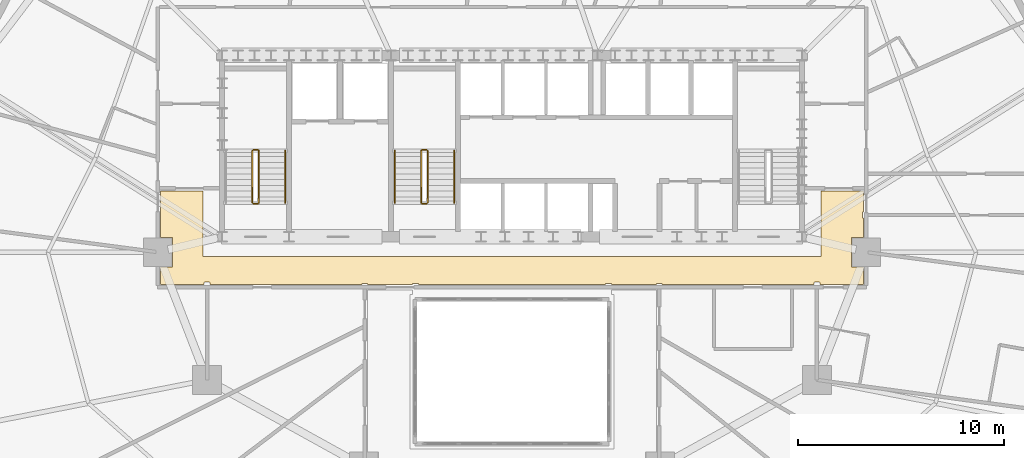
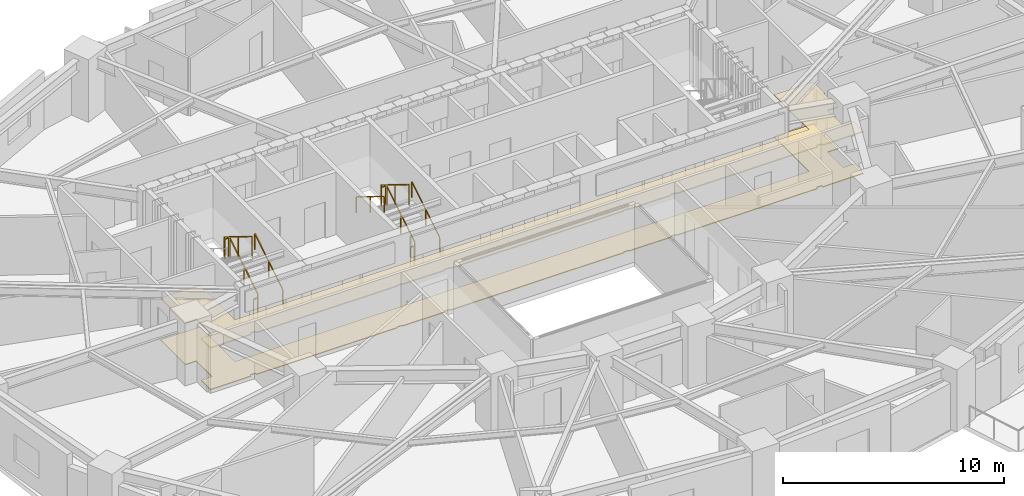
# One storey, part 14 of 16: 11 railings, 2 coverings.
"""IFC4 building model written with IfcOpenShell, lengths in metres."""

import ifcopenshell
import ifcopenshell.guid

model = None  # the IFC model being written
_history = None  # IfcOwnerHistory: only IFC2X3 demands one
_inside = {}  # id of a spatial element -> (the spatial element, [elements in it])
_under = {}  # id of a project, library or spatial element -> (it, [spatial elements below it])
_declared = {}  # id of a project -> (the project, [libraries it declares])
_typed = {}  # id of a type object -> (the type object, [elements of that type])
_made_of = {}  # id of a material, layer set ... -> (it, [elements and type objects made of it])


def new_model(schema):
    """Start an empty IFC model of exactly this schema.

    Asked for "IFC4X3", IfcOpenShell would pick the latest addendum, in which some entities
    have other attributes; the version numbers below select the first issue.
    IFC2X3 requires an IfcOwnerHistory on every rooted entity: one is made here for all.
    """
    global model, _history
    if schema == "IFC4X3":
        model = ifcopenshell.file(schema_version=(4, 3, 0, 0))
    else:
        model = ifcopenshell.file(schema=schema)
    _inside.clear()
    _under.clear()
    _declared.clear()
    _typed.clear()
    _made_of.clear()
    _history = None
    if model.schema == "IFC2X3":
        org = make("IfcOrganization", Name="unknown")
        user = make(
            "IfcPersonAndOrganization",
            ThePerson=make("IfcPerson", FamilyName="unknown"),
            TheOrganization=org,
        )
        app = make(
            "IfcApplication",
            ApplicationDeveloper=org,
            Version="unknown",
            ApplicationFullName="unknown",
            ApplicationIdentifier="unknown",
        )
        _history = make(
            "IfcOwnerHistory",
            OwningUser=user,
            OwningApplication=app,
            ChangeAction="ADDED",
            CreationDate=0,
        )
    return model


def make(cls, **values):
    """One entity of the class cls with the attributes given. An attribute that is None is left unset."""
    return model.create_entity(
        cls, **{name: value for name, value in values.items() if value is not None}
    )


def rooted(cls, **values):
    """An entity with a GlobalId (a new one), such as an element, a storey or a relation."""
    return make(cls, GlobalId=ifcopenshell.guid.new(), OwnerHistory=_history, **values)


def si_unit(unit_type, name, prefix=None):
    """IfcSIUnit, for example si_unit("LENGTHUNIT", "METRE", prefix="MILLI")."""
    return make("IfcSIUnit", UnitType=unit_type, Prefix=prefix, Name=name)


def assignment(units):
    """IfcUnitAssignment: the units of a project."""
    return None if units is None else make("IfcUnitAssignment", Units=units)


def point(xyz):
    """IfcCartesianPoint."""
    return None if xyz is None else make("IfcCartesianPoint", Coordinates=xyz)


def direction(xyz):
    """IfcDirection."""
    return None if xyz is None else make("IfcDirection", DirectionRatios=xyz)


def frame(location, z_axis=None, x_axis=None):
    """IfcAxis2Placement3D, a coordinate frame: its origin and axes. An axis left out is left unset."""
    return make(
        "IfcAxis2Placement3D",
        Location=point(location),
        Axis=direction(z_axis),
        RefDirection=direction(x_axis),
    )


def frame_2d(location, x_axis=None):
    """IfcAxis2Placement2D, a coordinate frame in the plane: its origin and x axis."""
    return make(
        "IfcAxis2Placement2D", Location=point(location), RefDirection=direction(x_axis)
    )


def origin():
    """The frame at (0, 0, 0) with its axes left unset."""
    return frame((0.0, 0.0, 0.0))


def origin_2d():
    """The frame at (0, 0) in the plane with its x axis left unset."""
    return frame_2d((0.0, 0.0))


def place(relative_to, where):
    """IfcLocalPlacement: puts the frame where relative to a parent placement (None: the world)."""
    return make(
        "IfcLocalPlacement", PlacementRelTo=relative_to, RelativePlacement=where
    )


def context(
    kind, dimensions, precision=None, world=None, true_north=None, identifier=None
):
    """IfcGeometricRepresentationContext, for example the 3D "Model" context."""
    return make(
        "IfcGeometricRepresentationContext",
        ContextIdentifier=identifier,
        ContextType=kind,
        CoordinateSpaceDimension=dimensions,
        Precision=precision,
        WorldCoordinateSystem=world,
        TrueNorth=true_north,
    )


def subcontext(parent, identifier, kind, view, scale=None):
    """IfcGeometricRepresentationSubContext, for example "Body" below "Model"."""
    return make(
        "IfcGeometricRepresentationSubContext",
        ContextIdentifier=identifier,
        ContextType=kind,
        ParentContext=parent,
        TargetScale=scale,
        TargetView=view,
    )


def project(units=None, contexts=None):
    """IfcProject with its units and contexts."""
    return rooted(
        "IfcProject",
        Name="project",
        RepresentationContexts=contexts,
        UnitsInContext=assignment(units),
    )


def spatial(cls, under=None, at=None, **own):
    """A site, building, storey or space (cls), placed at a placement, below another one or the project."""
    s = rooted(cls, ObjectPlacement=at, **own)
    if under is not None:
        _under.setdefault(under.id(), (under, []))[1].append(s)
    return s


def polyline(points):
    """IfcPolyline through the points."""
    return make("IfcPolyline", Points=[point(p) for p in points])


def profile(cls, at=None, kind="AREA", **sizes):
    """A parametric profile (cls). Its sizes go by their IFC names, for example OverallWidth=200.0."""
    return make(cls, ProfileType=kind, Position=at, **sizes)


def rectangle(**sizes):
    """IfcRectangleProfileDef."""
    return profile("IfcRectangleProfileDef", **sizes)


def outline(outer, holes=None, kind="AREA"):
    """IfcArbitraryClosedProfileDef: a profile drawn as a closed curve; with holes, ...WithVoids."""
    if holes is None:
        return make("IfcArbitraryClosedProfileDef", ProfileType=kind, OuterCurve=outer)
    return make(
        "IfcArbitraryProfileDefWithVoids",
        ProfileType=kind,
        OuterCurve=outer,
        InnerCurves=holes,
    )


def extrude(swept, where, along, depth):
    """IfcExtrudedAreaSolid: the profile swept, set in the frame where, extruded along a direction by depth."""
    return make(
        "IfcExtrudedAreaSolid",
        SweptArea=swept,
        Position=where,
        ExtrudedDirection=direction(along),
        Depth=depth,
    )


def shape(context_of_items, identifier, shape_type, items):
    """IfcShapeRepresentation: the items that make up one representation, for example the "Body"."""
    return make(
        "IfcShapeRepresentation",
        ContextOfItems=context_of_items,
        RepresentationIdentifier=identifier,
        RepresentationType=shape_type,
        Items=items,
    )


def material(Name=None, Category=None):
    """IfcMaterial."""
    return make("IfcMaterial", Name=Name, Category=Category)


def layer(
    of_material, thickness, ventilated=None, Name=None, Category=None, Priority=None
):
    """IfcMaterialLayer: one layer of a wall or slab, of a material (None: an air gap)."""
    return make(
        "IfcMaterialLayer",
        Material=of_material,
        LayerThickness=thickness,
        IsVentilated=ventilated,
        Name=Name,
        Category=Category,
        Priority=Priority,
    )


def layer_set(layers, Name=None):
    """IfcMaterialLayerSet."""
    return make("IfcMaterialLayerSet", MaterialLayers=layers, LayerSetName=Name)


def made_of(thing, what):
    """Note that an element or type object is made of a material, layer set ...; save() writes the relation."""
    if what is not None:
        _made_of.setdefault(what.id(), (what, []))[1].append(thing)
    return thing


def type_object(cls, material=None, **own):
    """A type object (cls), such as IfcWallType, which elements share."""
    return made_of(rooted(cls, **own), material)


def element(
    cls,
    number,
    at=None,
    inside=None,
    cuts=None,
    type_object=None,
    material=None,
    context=None,
    identifier="Body",
    shape_type=None,
    held_by="IfcProductDefinitionShape",
    body=None,
    shapes=None,
    **own,
):
    """One element of the class cls, such as IfcWall. Its Tag is "e" and its number.

    at: its placement. inside: the storey or other place that contains it. cuts: it is an
    opening in that element (IfcRelVoidsElement). A single representation is given by context,
    identifier, shape_type and body (its items); several are given by shapes. held_by: the class
    of the entity that holds the representations. save() writes the other relations.
    """
    e = rooted(cls, Tag="e%d" % number, ObjectPlacement=at, **own)
    if body is not None:
        shapes = [shape(context, identifier, shape_type, body)]
    if shapes is not None:
        e.Representation = make(held_by, Representations=shapes)
    if inside is not None:
        _inside.setdefault(inside.id(), (inside, []))[1].append(e)
    if cuts is not None:
        rooted(
            "IfcRelVoidsElement", RelatingBuildingElement=cuts, RelatedOpeningElement=e
        )
    if type_object is not None:
        _typed.setdefault(type_object.id(), (type_object, []))[1].append(e)
    return made_of(e, material)


def aggregate(whole, parts):
    """IfcRelAggregates: a whole, such as a stair, and the parts it consists of."""
    return rooted("IfcRelAggregates", RelatingObject=whole, RelatedObjects=parts)


def save(model, path):
    """Write the relations noted so far, then the file.

    IfcRelAggregates (storeys below a building ...), IfcRelContainedInSpatialStructure (elements
    in a storey), IfcRelDefinesByType, IfcRelAssociatesMaterial and IfcRelDeclares: one each for
    every whole, place, type object, material and project.
    """
    for whole, parts in _under.values():
        aggregate(whole, parts)
    for where, things in _inside.values():
        rooted(
            "IfcRelContainedInSpatialStructure",
            RelatedElements=things,
            RelatingStructure=where,
        )
    for kind, things in _typed.values():
        rooted("IfcRelDefinesByType", RelatedObjects=things, RelatingType=kind)
    for what, things in _made_of.values():
        rooted("IfcRelAssociatesMaterial", RelatedObjects=things, RelatingMaterial=what)
    for by, libraries in _declared.values():
        rooted("IfcRelDeclares", RelatingContext=by, RelatedDefinitions=libraries)
    model.write(path)


model = new_model("IFC4")

# Units and contexts
model_context = context("Model", 3, precision=1e-05, world=origin(), true_north=direction((0.0, 1.0)))
body_context = subcontext(model_context, "Body", "Model", "MODEL_VIEW")
ifc_project = project(units=[si_unit("LENGTHUNIT", "METRE"), si_unit("AREAUNIT", "SQUARE_METRE"), si_unit("VOLUMEUNIT", "CUBIC_METRE"), si_unit("PLANEANGLEUNIT", "RADIAN"), si_unit("MASSUNIT", "GRAM", prefix="KILO")], contexts=[model_context])

# Site, building, storey
site_placement = place(None, origin())
site = spatial("IfcSite", under=ifc_project, at=site_placement, CompositionType="ELEMENT")
building_placement = place(site_placement, origin())
building = spatial("IfcBuilding", under=site, at=building_placement, Name="Haldorwick Loom Tower", CompositionType="ELEMENT")
storey_placement = place(building_placement, frame((0.0, 0.0, 88.699951171875)))
storey = spatial("IfcBuildingStorey", under=building, at=storey_placement, Name="L23", CompositionType="ELEMENT", Elevation=88.699951171875)

# Coverings
ifc_material_1 = material(Name="Mineral Fibre Acoustic Ceiling Tile")
ifc_layer_1 = layer(ifc_material_1, 0.054931640625, Name="Mineral Fibre Acoustic Ceiling Tile")
ifc_layer_set_1 = layer_set([ifc_layer_1], Name="Mineral Fibre Acoustic Ceiling Tile")
covering_type_1 = type_object("IfcCoveringType", Name="ARC-COV-CEIL2", PredefinedType="CEILING", material=ifc_layer_set_1)
covering_1_placement = place(storey_placement, frame((0.0, 0.0, 2.302001953125)))
element("IfcCovering", 1, at=covering_1_placement, inside=storey, type_object=covering_type_1, Name="L23 Acoustic Suspended Ceiling 2", PredefinedType="CEILING", context=body_context, shape_type="SweptSolid", body=[
    extrude(outline(polyline([(51.0, 28.9599609375), (51.0, 25.800048828125), (21.0, 25.800048828125), (21.0, 28.9599609375), (18.93994140625, 28.9599609375), (18.93994140625, 26.7080078125), (19.508056640625, 26.7080078125), (19.508056640625, 25.2919921875), (18.93994140625, 25.2919921875), (18.93994140625, 24.43994140625), (21.06005859375, 24.43994140625), (21.06005859375, 24.52001953125), (21.06005859375, 24.52197265625), (21.060302734375, 24.52392578125), (21.060791015625, 24.52587890625), (21.0615234375, 24.527587890625), (21.0625, 24.529296875), (21.0634765625, 24.531005859375), (21.064453125, 24.53271484375), (21.06591796875, 24.5341796875), (21.0673828125, 24.535400390625), (21.06884765625, 24.53662109375), (21.070556640625, 24.53759765625), (21.072265625, 24.53857421875), (21.07421875, 24.5390625), (21.076171875, 24.53955078125), (21.077880859375, 24.539794921875), (21.080078125, 24.5400390625), (21.320068359375, 24.5400390625), (21.322021484375, 24.539794921875), (21.323974609375, 24.53955078125), (21.32568359375, 24.5390625), (21.32763671875, 24.53857421875), (21.329345703125, 24.53759765625), (21.3310546875, 24.53662109375), (21.332763671875, 24.535400390625), (21.333984375, 24.5341796875), (21.33544921875, 24.53271484375), (21.336669921875, 24.531005859375), (21.337646484375, 24.529296875), (21.33837890625, 24.527587890625), (21.339111328125, 24.52587890625), (21.339599609375, 24.52392578125), (21.33984375, 24.52197265625), (21.340087890625, 24.52001953125), (21.340087890625, 24.43994140625), (28.7099609375, 24.43994140625), (28.7099609375, 24.469970703125), (28.710205078125, 24.471923828125), (28.71044921875, 24.473876953125), (28.7109375, 24.475830078125), (28.71142578125, 24.477783203125), (28.71240234375, 24.4794921875), (28.71337890625, 24.481201171875), (28.714599609375, 24.482666015625), (28.7158203125, 24.484130859375), (28.71728515625, 24.485595703125), (28.718994140625, 24.486572265625), (28.720703125, 24.487548828125), (28.722412109375, 24.488525390625), (28.72412109375, 24.489013671875), (28.72607421875, 24.489501953125), (28.72802734375, 24.489990234375), (28.72998046875, 24.489990234375), (28.969970703125, 24.489990234375), (28.971923828125, 24.489990234375), (28.973876953125, 24.489501953125), (28.975830078125, 24.489013671875), (28.977783203125, 24.488525390625), (28.9794921875, 24.487548828125), (28.981201171875, 24.486572265625), (28.982666015625, 24.485595703125), (28.984130859375, 24.484130859375), (28.985595703125, 24.482666015625), (28.986572265625, 24.481201171875), (28.987548828125, 24.4794921875), (28.988525390625, 24.477783203125), (28.989013671875, 24.475830078125), (28.989501953125, 24.473876953125), (28.989990234375, 24.471923828125), (28.989990234375, 24.469970703125), (28.989990234375, 24.43994140625), (31.179931640625, 24.43994140625), (31.179931640625, 24.469970703125), (31.18017578125, 24.471923828125), (31.180419921875, 24.473876953125), (31.180908203125, 24.475830078125), (31.181396484375, 24.477783203125), (31.182373046875, 24.4794921875), (31.183349609375, 24.481201171875), (31.1845703125, 24.482666015625), (31.185791015625, 24.484130859375), (31.187255859375, 24.485595703125), (31.18896484375, 24.486572265625), (31.190673828125, 24.487548828125), (31.1923828125, 24.488525390625), (31.194091796875, 24.489013671875), (31.196044921875, 24.489501953125), (31.197998046875, 24.489990234375), (31.199951171875, 24.489990234375), (31.43994140625, 24.489990234375), (31.44189453125, 24.489990234375), (31.44384765625, 24.489501953125), (31.44580078125, 24.489013671875), (31.44775390625, 24.488525390625), (31.449462890625, 24.487548828125), (31.451171875, 24.486572265625), (31.45263671875, 24.485595703125), (31.4541015625, 24.484130859375), (31.45556640625, 24.482666015625), (31.45654296875, 24.481201171875), (31.45751953125, 24.4794921875), (31.45849609375, 24.477783203125), (31.458984375, 24.475830078125), (31.459716796875, 24.473876953125), (31.4599609375, 24.471923828125), (31.4599609375, 24.469970703125), (31.4599609375, 24.43994140625), (40.5400390625, 24.43994140625), (40.5400390625, 24.469970703125), (40.5400390625, 24.471923828125), (40.540283203125, 24.473876953125), (40.541015625, 24.475830078125), (40.54150390625, 24.477783203125), (40.54248046875, 24.4794921875), (40.54345703125, 24.481201171875), (40.54443359375, 24.482666015625), (40.5458984375, 24.484130859375), (40.54736328125, 24.485595703125), (40.548828125, 24.486572265625), (40.550537109375, 24.487548828125), (40.55224609375, 24.488525390625), (40.55419921875, 24.489013671875), (40.55615234375, 24.489501953125), (40.55810546875, 24.489990234375), (40.56005859375, 24.489990234375), (40.800048828125, 24.489990234375), (40.802001953125, 24.489990234375), (40.803955078125, 24.489501953125), (40.805908203125, 24.489013671875), (40.8076171875, 24.488525390625), (40.809326171875, 24.487548828125), (40.81103515625, 24.486572265625), (40.812744140625, 24.485595703125), (40.814208984375, 24.484130859375), (40.8154296875, 24.482666015625), (40.816650390625, 24.481201171875), (40.817626953125, 24.4794921875), (40.818603515625, 24.477783203125), (40.819091796875, 24.475830078125), (40.819580078125, 24.473876953125), (40.81982421875, 24.471923828125), (40.820068359375, 24.469970703125), (40.820068359375, 24.43994140625), (43.010009765625, 24.43994140625), (43.010009765625, 24.469970703125), (43.010009765625, 24.471923828125), (43.010498046875, 24.473876953125), (43.010986328125, 24.475830078125), (43.011474609375, 24.477783203125), (43.012451171875, 24.4794921875), (43.013427734375, 24.481201171875), (43.014404296875, 24.482666015625), (43.015869140625, 24.484130859375), (43.017333984375, 24.485595703125), (43.018798828125, 24.486572265625), (43.0205078125, 24.487548828125), (43.022216796875, 24.488525390625), (43.024169921875, 24.489013671875), (43.026123046875, 24.489501953125), (43.028076171875, 24.489990234375), (43.030029296875, 24.489990234375), (43.27001953125, 24.489990234375), (43.27197265625, 24.489990234375), (43.27392578125, 24.489501953125), (43.27587890625, 24.489013671875), (43.277587890625, 24.488525390625), (43.279296875, 24.487548828125), (43.281005859375, 24.486572265625), (43.28271484375, 24.485595703125), (43.2841796875, 24.484130859375), (43.285400390625, 24.482666015625), (43.28662109375, 24.481201171875), (43.28759765625, 24.4794921875), (43.28857421875, 24.477783203125), (43.2890625, 24.475830078125), (43.28955078125, 24.473876953125), (43.289794921875, 24.471923828125), (43.2900390625, 24.469970703125), (43.2900390625, 24.43994140625), (50.659912109375, 24.43994140625), (50.659912109375, 24.52001953125), (50.66015625, 24.52197265625), (50.660400390625, 24.52392578125), (50.660888671875, 24.52587890625), (50.66162109375, 24.527587890625), (50.662353515625, 24.529296875), (50.663330078125, 24.531005859375), (50.66455078125, 24.53271484375), (50.666015625, 24.5341796875), (50.667236328125, 24.535400390625), (50.6689453125, 24.53662109375), (50.670654296875, 24.53759765625), (50.67236328125, 24.53857421875), (50.67431640625, 24.5390625), (50.676025390625, 24.53955078125), (50.677978515625, 24.539794921875), (50.679931640625, 24.5400390625), (50.919921875, 24.5400390625), (50.922119140625, 24.539794921875), (50.923828125, 24.53955078125), (50.92578125, 24.5390625), (50.927734375, 24.53857421875), (50.929443359375, 24.53759765625), (50.93115234375, 24.53662109375), (50.9326171875, 24.535400390625), (50.93408203125, 24.5341796875), (50.935546875, 24.53271484375), (50.9365234375, 24.531005859375), (50.9375, 24.529296875), (50.9384765625, 24.527587890625), (50.939208984375, 24.52587890625), (50.939697265625, 24.52392578125), (50.93994140625, 24.52197265625), (50.93994140625, 24.52001953125), (50.93994140625, 24.43994140625), (53.06005859375, 24.43994140625), (53.06005859375, 25.2919921875), (52.491943359375, 25.2919921875), (52.491943359375, 26.7080078125), (53.06005859375, 26.7080078125), (53.06005859375, 27.659912109375), (53.030029296875, 27.659912109375), (53.028076171875, 27.66015625), (53.026123046875, 27.660400390625), (53.024169921875, 27.660888671875), (53.022216796875, 27.66162109375), (53.0205078125, 27.662353515625), (53.018798828125, 27.663330078125), (53.017333984375, 27.66455078125), (53.015869140625, 27.666015625), (53.014404296875, 27.667236328125), (53.013427734375, 27.6689453125), (53.012451171875, 27.670654296875), (53.011474609375, 27.67236328125), (53.010986328125, 27.67431640625), (53.010498046875, 27.676025390625), (53.010009765625, 27.677978515625), (53.010009765625, 27.679931640625), (53.010009765625, 27.919921875), (53.010009765625, 27.922119140625), (53.010498046875, 27.923828125), (53.010986328125, 27.92578125), (53.011474609375, 27.927734375), (53.012451171875, 27.929443359375), (53.013427734375, 27.93115234375), (53.014404296875, 27.9326171875), (53.015869140625, 27.93408203125), (53.017333984375, 27.935546875), (53.018798828125, 27.9365234375), (53.0205078125, 27.9375), (53.022216796875, 27.9384765625), (53.024169921875, 27.939208984375), (53.026123046875, 27.939697265625), (53.028076171875, 27.93994140625), (53.030029296875, 27.93994140625), (53.06005859375, 27.93994140625), (53.06005859375, 28.9599609375), (51.0, 28.9599609375)])), origin(), (0.0, 0.0, 1.0), 0.054931640625),
])
ifc_material_2 = material(Name="Polished Aggregate Terrazzo Finish")
ifc_layer_2 = layer(ifc_material_2, 0.044921875, Name="Polished Aggregate Terrazzo Finish")
ifc_layer_set_2 = layer_set([ifc_layer_2], Name="Polished Aggregate Terrazzo Finish")
covering_type_2 = type_object("IfcCoveringType", Name="ARC-COV-FLOOR2", PredefinedType="FLOORING", material=ifc_layer_set_2)
covering_2_placement = place(storey_placement, origin())
element("IfcCovering", 2, at=covering_2_placement, inside=storey, type_object=covering_type_2, Name="L23 Floor Finish 2", PredefinedType="FLOORING", context=body_context, shape_type="SweptSolid", body=[
    extrude(outline(polyline([(51.0, 28.9599609375), (51.0, 25.800048828125), (21.0, 25.800048828125), (21.0, 28.9599609375), (18.93994140625, 28.9599609375), (18.93994140625, 26.7080078125), (19.508056640625, 26.7080078125), (19.508056640625, 25.2919921875), (18.93994140625, 25.2919921875), (18.93994140625, 24.43994140625), (21.06005859375, 24.43994140625), (21.06005859375, 24.52001953125), (21.06005859375, 24.52197265625), (21.060302734375, 24.52392578125), (21.060791015625, 24.52587890625), (21.0615234375, 24.527587890625), (21.0625, 24.529296875), (21.0634765625, 24.531005859375), (21.064453125, 24.53271484375), (21.06591796875, 24.5341796875), (21.0673828125, 24.535400390625), (21.06884765625, 24.53662109375), (21.070556640625, 24.53759765625), (21.072265625, 24.53857421875), (21.07421875, 24.5390625), (21.076171875, 24.53955078125), (21.077880859375, 24.539794921875), (21.080078125, 24.5400390625), (21.320068359375, 24.5400390625), (21.322021484375, 24.539794921875), (21.323974609375, 24.53955078125), (21.32568359375, 24.5390625), (21.32763671875, 24.53857421875), (21.329345703125, 24.53759765625), (21.3310546875, 24.53662109375), (21.332763671875, 24.535400390625), (21.333984375, 24.5341796875), (21.33544921875, 24.53271484375), (21.336669921875, 24.531005859375), (21.337646484375, 24.529296875), (21.33837890625, 24.527587890625), (21.339111328125, 24.52587890625), (21.339599609375, 24.52392578125), (21.33984375, 24.52197265625), (21.340087890625, 24.52001953125), (21.340087890625, 24.43994140625), (28.7099609375, 24.43994140625), (28.7099609375, 24.469970703125), (28.710205078125, 24.471923828125), (28.71044921875, 24.473876953125), (28.7109375, 24.475830078125), (28.71142578125, 24.477783203125), (28.71240234375, 24.4794921875), (28.71337890625, 24.481201171875), (28.714599609375, 24.482666015625), (28.7158203125, 24.484130859375), (28.71728515625, 24.485595703125), (28.718994140625, 24.486572265625), (28.720703125, 24.487548828125), (28.722412109375, 24.488525390625), (28.72412109375, 24.489013671875), (28.72607421875, 24.489501953125), (28.72802734375, 24.489990234375), (28.72998046875, 24.489990234375), (28.969970703125, 24.489990234375), (28.971923828125, 24.489990234375), (28.973876953125, 24.489501953125), (28.975830078125, 24.489013671875), (28.977783203125, 24.488525390625), (28.9794921875, 24.487548828125), (28.981201171875, 24.486572265625), (28.982666015625, 24.485595703125), (28.984130859375, 24.484130859375), (28.985595703125, 24.482666015625), (28.986572265625, 24.481201171875), (28.987548828125, 24.4794921875), (28.988525390625, 24.477783203125), (28.989013671875, 24.475830078125), (28.989501953125, 24.473876953125), (28.989990234375, 24.471923828125), (28.989990234375, 24.469970703125), (28.989990234375, 24.43994140625), (31.179931640625, 24.43994140625), (31.179931640625, 24.469970703125), (31.18017578125, 24.471923828125), (31.180419921875, 24.473876953125), (31.180908203125, 24.475830078125), (31.181396484375, 24.477783203125), (31.182373046875, 24.4794921875), (31.183349609375, 24.481201171875), (31.1845703125, 24.482666015625), (31.185791015625, 24.484130859375), (31.187255859375, 24.485595703125), (31.18896484375, 24.486572265625), (31.190673828125, 24.487548828125), (31.1923828125, 24.488525390625), (31.194091796875, 24.489013671875), (31.196044921875, 24.489501953125), (31.197998046875, 24.489990234375), (31.199951171875, 24.489990234375), (31.43994140625, 24.489990234375), (31.44189453125, 24.489990234375), (31.44384765625, 24.489501953125), (31.44580078125, 24.489013671875), (31.44775390625, 24.488525390625), (31.449462890625, 24.487548828125), (31.451171875, 24.486572265625), (31.45263671875, 24.485595703125), (31.4541015625, 24.484130859375), (31.45556640625, 24.482666015625), (31.45654296875, 24.481201171875), (31.45751953125, 24.4794921875), (31.45849609375, 24.477783203125), (31.458984375, 24.475830078125), (31.459716796875, 24.473876953125), (31.4599609375, 24.471923828125), (31.4599609375, 24.469970703125), (31.4599609375, 24.43994140625), (40.5400390625, 24.43994140625), (40.5400390625, 24.469970703125), (40.5400390625, 24.471923828125), (40.540283203125, 24.473876953125), (40.541015625, 24.475830078125), (40.54150390625, 24.477783203125), (40.54248046875, 24.4794921875), (40.54345703125, 24.481201171875), (40.54443359375, 24.482666015625), (40.5458984375, 24.484130859375), (40.54736328125, 24.485595703125), (40.548828125, 24.486572265625), (40.550537109375, 24.487548828125), (40.55224609375, 24.488525390625), (40.55419921875, 24.489013671875), (40.55615234375, 24.489501953125), (40.55810546875, 24.489990234375), (40.56005859375, 24.489990234375), (40.800048828125, 24.489990234375), (40.802001953125, 24.489990234375), (40.803955078125, 24.489501953125), (40.805908203125, 24.489013671875), (40.8076171875, 24.488525390625), (40.809326171875, 24.487548828125), (40.81103515625, 24.486572265625), (40.812744140625, 24.485595703125), (40.814208984375, 24.484130859375), (40.8154296875, 24.482666015625), (40.816650390625, 24.481201171875), (40.817626953125, 24.4794921875), (40.818603515625, 24.477783203125), (40.819091796875, 24.475830078125), (40.819580078125, 24.473876953125), (40.81982421875, 24.471923828125), (40.820068359375, 24.469970703125), (40.820068359375, 24.43994140625), (43.010009765625, 24.43994140625), (43.010009765625, 24.469970703125), (43.010009765625, 24.471923828125), (43.010498046875, 24.473876953125), (43.010986328125, 24.475830078125), (43.011474609375, 24.477783203125), (43.012451171875, 24.4794921875), (43.013427734375, 24.481201171875), (43.014404296875, 24.482666015625), (43.015869140625, 24.484130859375), (43.017333984375, 24.485595703125), (43.018798828125, 24.486572265625), (43.0205078125, 24.487548828125), (43.022216796875, 24.488525390625), (43.024169921875, 24.489013671875), (43.026123046875, 24.489501953125), (43.028076171875, 24.489990234375), (43.030029296875, 24.489990234375), (43.27001953125, 24.489990234375), (43.27197265625, 24.489990234375), (43.27392578125, 24.489501953125), (43.27587890625, 24.489013671875), (43.277587890625, 24.488525390625), (43.279296875, 24.487548828125), (43.281005859375, 24.486572265625), (43.28271484375, 24.485595703125), (43.2841796875, 24.484130859375), (43.285400390625, 24.482666015625), (43.28662109375, 24.481201171875), (43.28759765625, 24.4794921875), (43.28857421875, 24.477783203125), (43.2890625, 24.475830078125), (43.28955078125, 24.473876953125), (43.289794921875, 24.471923828125), (43.2900390625, 24.469970703125), (43.2900390625, 24.43994140625), (50.659912109375, 24.43994140625), (50.659912109375, 24.52001953125), (50.66015625, 24.52197265625), (50.660400390625, 24.52392578125), (50.660888671875, 24.52587890625), (50.66162109375, 24.527587890625), (50.662353515625, 24.529296875), (50.663330078125, 24.531005859375), (50.66455078125, 24.53271484375), (50.666015625, 24.5341796875), (50.667236328125, 24.535400390625), (50.6689453125, 24.53662109375), (50.670654296875, 24.53759765625), (50.67236328125, 24.53857421875), (50.67431640625, 24.5390625), (50.676025390625, 24.53955078125), (50.677978515625, 24.539794921875), (50.679931640625, 24.5400390625), (50.919921875, 24.5400390625), (50.922119140625, 24.539794921875), (50.923828125, 24.53955078125), (50.92578125, 24.5390625), (50.927734375, 24.53857421875), (50.929443359375, 24.53759765625), (50.93115234375, 24.53662109375), (50.9326171875, 24.535400390625), (50.93408203125, 24.5341796875), (50.935546875, 24.53271484375), (50.9365234375, 24.531005859375), (50.9375, 24.529296875), (50.9384765625, 24.527587890625), (50.939208984375, 24.52587890625), (50.939697265625, 24.52392578125), (50.93994140625, 24.52197265625), (50.93994140625, 24.52001953125), (50.93994140625, 24.43994140625), (53.06005859375, 24.43994140625), (53.06005859375, 25.2919921875), (52.491943359375, 25.2919921875), (52.491943359375, 26.7080078125), (53.06005859375, 26.7080078125), (53.06005859375, 27.659912109375), (53.030029296875, 27.659912109375), (53.028076171875, 27.66015625), (53.026123046875, 27.660400390625), (53.024169921875, 27.660888671875), (53.022216796875, 27.66162109375), (53.0205078125, 27.662353515625), (53.018798828125, 27.663330078125), (53.017333984375, 27.66455078125), (53.015869140625, 27.666015625), (53.014404296875, 27.667236328125), (53.013427734375, 27.6689453125), (53.012451171875, 27.670654296875), (53.011474609375, 27.67236328125), (53.010986328125, 27.67431640625), (53.010498046875, 27.676025390625), (53.010009765625, 27.677978515625), (53.010009765625, 27.679931640625), (53.010009765625, 27.919921875), (53.010009765625, 27.922119140625), (53.010498046875, 27.923828125), (53.010986328125, 27.92578125), (53.011474609375, 27.927734375), (53.012451171875, 27.929443359375), (53.013427734375, 27.93115234375), (53.014404296875, 27.9326171875), (53.015869140625, 27.93408203125), (53.017333984375, 27.935546875), (53.018798828125, 27.9365234375), (53.0205078125, 27.9375), (53.022216796875, 27.9384765625), (53.024169921875, 27.939208984375), (53.026123046875, 27.939697265625), (53.028076171875, 27.93994140625), (53.030029296875, 27.93994140625), (53.06005859375, 27.93994140625), (53.06005859375, 28.9599609375), (51.0, 28.9599609375)])), origin(), (0.0, 0.0, 1.0), 0.045166015625),
])

# Railings
ifc_material_3 = material(Name="Steel CSA G40.21 350W", Category="steel")
railing_type_1 = type_object("IfcRailingType", Name="ARC-RLG-GUARD112", PredefinedType="GUARDRAIL", material=ifc_material_3)
railing_1_placement = place(storey_placement, frame((23.699951171875, 28.39990234375, 0.172607421875)))
element("IfcRailing", 3, at=railing_1_placement, inside=storey, type_object=railing_type_1, Name="L23 ST-01 stair guard 1", PredefinedType="GUARDRAIL", context=body_context, shape_type="SweptSolid", body=[
    extrude(rectangle(XDim=0.048095703125, YDim=0.048095703125, at=origin_2d()), frame((0.0, 0.0, 1.076171875), z_axis=(0.0, 0.851400495292, 0.524516154772), x_axis=(-1.0, 0.0, 0.0)), (0.0, 0.0, 1.0), 2.9599609375),
    extrude(rectangle(XDim=0.0419921875, YDim=0.0419921875, at=origin_2d()), origin(), (0.0, 0.0, 1.0), 1.052001953125),
    extrude(rectangle(XDim=0.0419921875, YDim=0.0419921875, at=origin_2d()), frame((0.0, 1.260009765625, 0.7763671875)), (0.0, 0.0, 1.0), 1.052001953125),
    extrude(rectangle(XDim=0.0419921875, YDim=0.0419921875, at=origin_2d()), frame((0.0, 2.52001953125, 1.552490234375)), (0.0, 0.0, 1.0), 1.052001953125),
])
railing_2_placement = place(storey_placement, frame((23.64990234375, 30.969970703125, 1.72509765625)))
element("IfcRailing", 4, at=railing_2_placement, inside=storey, type_object=railing_type_1, Name="L23 ST-01 stair guard 2", PredefinedType="GUARDRAIL", context=body_context, shape_type="SweptSolid", body=[
    extrude(rectangle(XDim=0.048095703125, YDim=0.048095703125, at=origin_2d()), frame((0.0, 0.0, 1.076171875), z_axis=(-1.0, 0.0, 0.0), x_axis=(0.0, -1.0, 0.0)), (0.0, 0.0, 1.0), 0.199951171875),
    extrude(rectangle(XDim=0.0419921875, YDim=0.0419921875, at=origin_2d()), origin(), (0.0, 0.0, 1.0), 1.052001953125),
    extrude(rectangle(XDim=0.0419921875, YDim=0.0419921875, at=origin_2d()), frame((-0.199951171875, 0.0, 0.0)), (0.0, 0.0, 1.0), 1.052001953125),
])
railing_3_placement = place(storey_placement, frame((23.39990234375, 30.919921875, 1.8974609375)))
element("IfcRailing", 5, at=railing_3_placement, inside=storey, type_object=railing_type_1, Name="L23 ST-01 stair guard 3", PredefinedType="GUARDRAIL", context=body_context, shape_type="SweptSolid", body=[
    extrude(rectangle(XDim=0.048095703125, YDim=0.048095703125, at=origin_2d()), frame((0.0, 0.0, 1.076171875), z_axis=(0.0, -0.851400495292, 0.524516154772), x_axis=(1.0, 0.0, 0.0)), (0.0, 0.0, 1.0), 2.9599609375),
    extrude(rectangle(XDim=0.0419921875, YDim=0.0419921875, at=origin_2d()), origin(), (0.0, 0.0, 1.0), 1.052001953125),
    extrude(rectangle(XDim=0.0419921875, YDim=0.0419921875, at=origin_2d()), frame((0.0, -1.260009765625, 0.7763671875)), (0.0, 0.0, 1.0), 1.052001953125),
    extrude(rectangle(XDim=0.0419921875, YDim=0.0419921875, at=origin_2d()), frame((0.0, -2.52001953125, 1.552490234375)), (0.0, 0.0, 1.0), 1.052001953125),
])
railing_4_placement = place(storey_placement, frame((23.64990234375, 28.35009765625, 0.0)))
element("IfcRailing", 6, at=railing_4_placement, inside=storey, type_object=railing_type_1, Name="L23 ST-01 stair guard 4", PredefinedType="GUARDRAIL", context=body_context, shape_type="SweptSolid", body=[
    extrude(rectangle(XDim=0.048095703125, YDim=0.048095703125, at=origin_2d()), frame((0.0, 0.0, 1.076171875), z_axis=(-1.0, 0.0, 0.0), x_axis=(0.0, -1.0, 0.0)), (0.0, 0.0, 1.0), 0.199951171875),
    extrude(rectangle(XDim=0.0419921875, YDim=0.0419921875, at=origin_2d()), origin(), (0.0, 0.0, 1.0), 1.052001953125),
    extrude(rectangle(XDim=0.0419921875, YDim=0.0419921875, at=origin_2d()), frame((-0.199951171875, 0.0, 0.0)), (0.0, 0.0, 1.0), 1.052001953125),
])
railing_5_placement = place(storey_placement, frame((31.89990234375, 28.39990234375, 0.172607421875)))
element("IfcRailing", 7, at=railing_5_placement, inside=storey, type_object=railing_type_1, Name="L23 ST-03 stair guard 1", PredefinedType="GUARDRAIL", context=body_context, shape_type="SweptSolid", body=[
    extrude(rectangle(XDim=0.048095703125, YDim=0.048095703125, at=origin_2d()), frame((0.0, 0.0, 1.076171875), z_axis=(0.0, 0.851400495292, 0.524516154772), x_axis=(-1.0, 0.0, 0.0)), (0.0, 0.0, 1.0), 2.9599609375),
    extrude(rectangle(XDim=0.0419921875, YDim=0.0419921875, at=origin_2d()), origin(), (0.0, 0.0, 1.0), 1.052001953125),
    extrude(rectangle(XDim=0.0419921875, YDim=0.0419921875, at=origin_2d()), frame((0.0, 1.260009765625, 0.7763671875)), (0.0, 0.0, 1.0), 1.052001953125),
    extrude(rectangle(XDim=0.0419921875, YDim=0.0419921875, at=origin_2d()), frame((0.0, 2.52001953125, 1.552490234375)), (0.0, 0.0, 1.0), 1.052001953125),
])
railing_6_placement = place(storey_placement, frame((31.85009765625, 30.969970703125, 1.72509765625)))
element("IfcRailing", 8, at=railing_6_placement, inside=storey, type_object=railing_type_1, Name="L23 ST-03 stair guard 2", PredefinedType="GUARDRAIL", context=body_context, shape_type="SweptSolid", body=[
    extrude(rectangle(XDim=0.048095703125, YDim=0.048095703125, at=origin_2d()), frame((0.0, 0.0, 1.076171875), z_axis=(-1.0, 0.0, 0.0), x_axis=(0.0, -1.0, 0.0)), (0.0, 0.0, 1.0), 0.2001953125),
    extrude(rectangle(XDim=0.0419921875, YDim=0.0419921875, at=origin_2d()), origin(), (0.0, 0.0, 1.0), 1.052001953125),
    extrude(rectangle(XDim=0.0419921875, YDim=0.0419921875, at=origin_2d()), frame((-0.2001953125, 0.0, 0.0)), (0.0, 0.0, 1.0), 1.052001953125),
])
railing_7_placement = place(storey_placement, frame((31.60009765625, 30.919921875, 1.8974609375)))
element("IfcRailing", 9, at=railing_7_placement, inside=storey, type_object=railing_type_1, Name="L23 ST-03 stair guard 3", PredefinedType="GUARDRAIL", context=body_context, shape_type="SweptSolid", body=[
    extrude(rectangle(XDim=0.048095703125, YDim=0.048095703125, at=origin_2d()), frame((0.0, 0.0, 1.076171875), z_axis=(0.0, -0.851400495292, 0.524516154772), x_axis=(1.0, 0.0, 0.0)), (0.0, 0.0, 1.0), 2.9599609375),
    extrude(rectangle(XDim=0.0419921875, YDim=0.0419921875, at=origin_2d()), origin(), (0.0, 0.0, 1.0), 1.052001953125),
    extrude(rectangle(XDim=0.0419921875, YDim=0.0419921875, at=origin_2d()), frame((0.0, -1.260009765625, 0.7763671875)), (0.0, 0.0, 1.0), 1.052001953125),
    extrude(rectangle(XDim=0.0419921875, YDim=0.0419921875, at=origin_2d()), frame((0.0, -2.52001953125, 1.552490234375)), (0.0, 0.0, 1.0), 1.052001953125),
])
railing_8_placement = place(storey_placement, frame((31.85009765625, 28.35009765625, 0.0)))
element("IfcRailing", 10, at=railing_8_placement, inside=storey, type_object=railing_type_1, Name="L23 ST-03 stair guard 4", PredefinedType="GUARDRAIL", context=body_context, shape_type="SweptSolid", body=[
    extrude(rectangle(XDim=0.048095703125, YDim=0.048095703125, at=origin_2d()), frame((0.0, 0.0, 1.076171875), z_axis=(-1.0, 0.0, 0.0), x_axis=(0.0, -1.0, 0.0)), (0.0, 0.0, 1.0), 0.2001953125),
    extrude(rectangle(XDim=0.0419921875, YDim=0.0419921875, at=origin_2d()), origin(), (0.0, 0.0, 1.0), 1.052001953125),
    extrude(rectangle(XDim=0.0419921875, YDim=0.0419921875, at=origin_2d()), frame((-0.2001953125, 0.0, 0.0)), (0.0, 0.0, 1.0), 1.052001953125),
])
railing_type_2 = type_object("IfcRailingType", Name="ARC-RLG-HAND092", PredefinedType="HANDRAIL", material=ifc_material_3)
for number, where, name in (
    (11, (25.0, 28.39990234375, 0.172607421875), "L23 ST-01 stair handrail 1"),
    (12, (33.199951171875, 28.39990234375, 0.172607421875), "L23 ST-03 stair handrail 1"),
):
    element("IfcRailing", number, at=place(storey_placement, frame(where)), inside=storey, type_object=railing_type_2, Name=name, PredefinedType="HANDRAIL", context=body_context, shape_type="SweptSolid", body=[
        extrude(rectangle(XDim=0.048095703125, YDim=0.048095703125, at=origin_2d()), frame((0.0, 0.0, 0.8759765625), z_axis=(0.0, 0.851400495292, 0.524516154772), x_axis=(-1.0, 0.0, 0.0)), (0.0, 0.0, 1.0), 2.9599609375),
        extrude(rectangle(XDim=0.0419921875, YDim=0.0419921875, at=origin_2d()), origin(), (0.0, 0.0, 1.0), 0.851806640625),
        extrude(rectangle(XDim=0.0419921875, YDim=0.0419921875, at=origin_2d()), frame((0.0, 1.260009765625, 0.7763671875)), (0.0, 0.0, 1.0), 0.851806640625),
        extrude(rectangle(XDim=0.0419921875, YDim=0.0419921875, at=origin_2d()), frame((0.0, 2.52001953125, 1.552490234375)), (0.0, 0.0, 1.0), 0.851806640625),
    ])
railing_9_placement = place(storey_placement, frame((30.300048828125, 30.919921875, 1.8974609375)))
element("IfcRailing", 13, at=railing_9_placement, inside=storey, type_object=railing_type_2, Name="L23 ST-03 stair handrail 2", PredefinedType="HANDRAIL", context=body_context, shape_type="SweptSolid", body=[
    extrude(rectangle(XDim=0.048095703125, YDim=0.048095703125, at=origin_2d()), frame((0.0, 0.0, 0.8759765625), z_axis=(0.0, -0.851400495292, 0.524516154772), x_axis=(1.0, 0.0, 0.0)), (0.0, 0.0, 1.0), 2.9599609375),
    extrude(rectangle(XDim=0.0419921875, YDim=0.0419921875, at=origin_2d()), origin(), (0.0, 0.0, 1.0), 0.851806640625),
    extrude(rectangle(XDim=0.0419921875, YDim=0.0419921875, at=origin_2d()), frame((0.0, -1.260009765625, 0.7763671875)), (0.0, 0.0, 1.0), 0.851806640625),
    extrude(rectangle(XDim=0.0419921875, YDim=0.0419921875, at=origin_2d()), frame((0.0, -2.52001953125, 1.552490234375)), (0.0, 0.0, 1.0), 0.851806640625),
])

save(model, "model.ifc")
